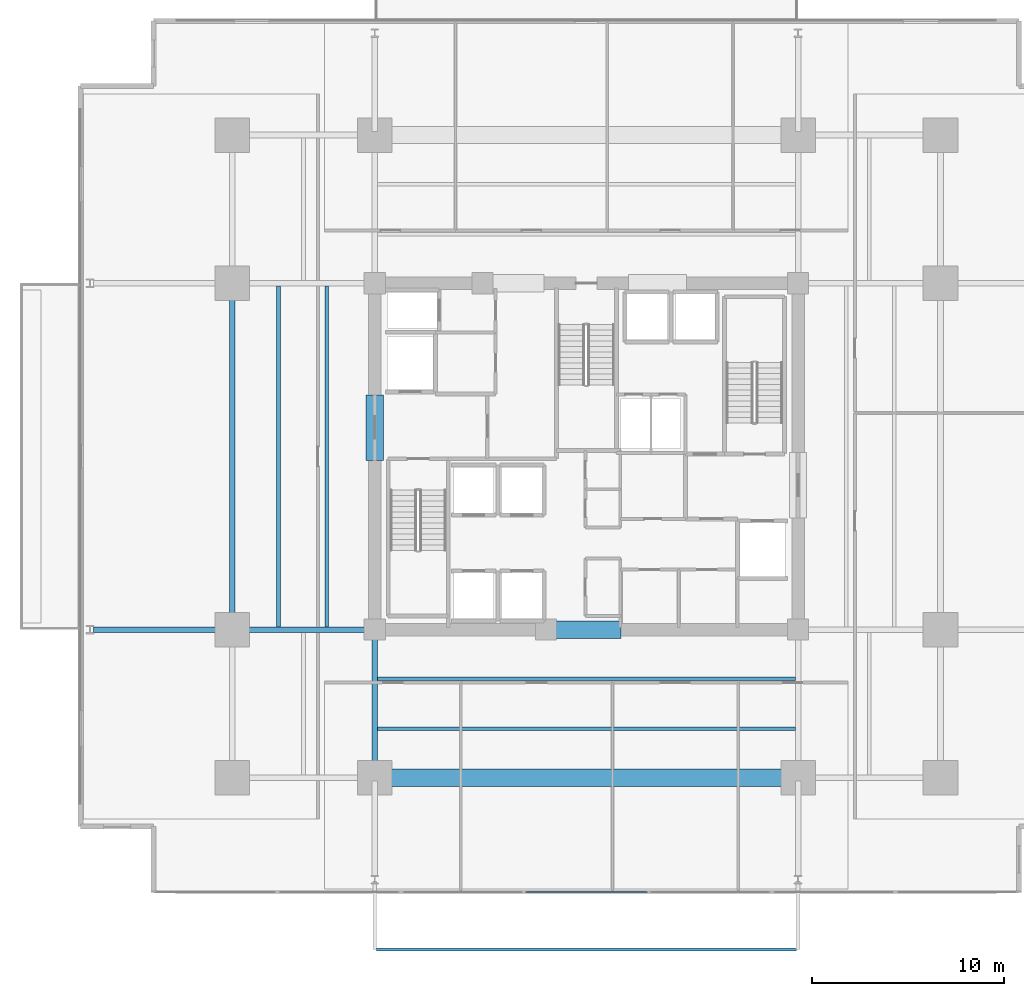
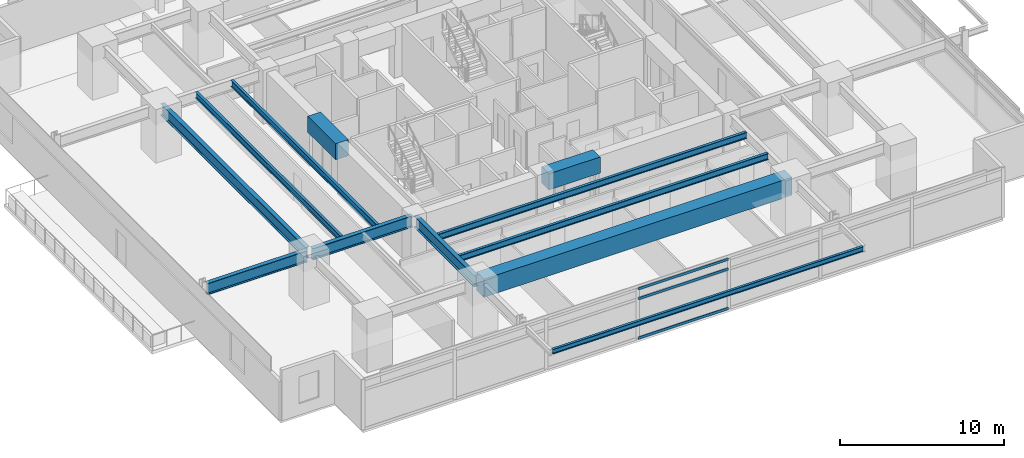
# One storey, part 4 of 19: 12 beams, 3 members, 1 element without a shape of its own.
"""IFC4 building model written with IfcOpenShell, lengths in metres."""

from ifc_helpers import new_model, si_unit, direction, frame, origin, origin_2d, place, context, subcontext, project, spatial, rectangle, hollow_rectangle, i_section, extrude, material, material_profile, profile_set, type_object, element, aggregate, save


model = new_model("IFC4")

# Units and contexts
model_context = context("Model", 3, precision=1e-05, world=origin(), true_north=direction((0.0, 1.0)))
body_context = subcontext(model_context, "Body", "Model", "MODEL_VIEW")
ifc_project = project(units=[si_unit("LENGTHUNIT", "METRE"), si_unit("AREAUNIT", "SQUARE_METRE"), si_unit("VOLUMEUNIT", "CUBIC_METRE"), si_unit("PLANEANGLEUNIT", "RADIAN"), si_unit("MASSUNIT", "GRAM", prefix="KILO")], contexts=[model_context])

# Site, building, storey
site_placement = place(None, origin())
site = spatial("IfcSite", under=ifc_project, at=site_placement, CompositionType="ELEMENT")
building_placement = place(site_placement, origin())
building = spatial("IfcBuilding", under=site, at=building_placement, Name="Kovane Verandah Tower", CompositionType="ELEMENT")
storey_placement = place(building_placement, frame((0.0, 0.0, 83.60009765625)))
storey = spatial("IfcBuildingStorey", under=building, at=storey_placement, Name="L19", CompositionType="ELEMENT", Elevation=83.60009765625)

# Beams
ifc_material_1 = material(Name="Concrete C80/95", Category="concrete")
ifc_material_profile_1 = material_profile(ifc_material_1, rectangle(XDim=0.89990234375, YDim=1.199951171875, at=origin_2d()), Name="RCB900x1200")
ifc_profile_set_1 = profile_set([ifc_material_profile_1], Name="Concrete C80/95")
beam_type_1 = type_object("IfcBeamType", Name="BM-LINTEL-900x1200", PredefinedType="LINTEL", material=ifc_profile_set_1)
beam_1_placement = place(storey_placement, frame((38.199951171875, 18.5, 3.159912109375), z_axis=(1.0, 0.0, 0.0), x_axis=(0.0, 1.0, 0.0)))
element("IfcBeam", 1, at=beam_1_placement, inside=storey, type_object=beam_type_1, Name="L19 Core Coupling Lintel CL-S", PredefinedType="LINTEL", context=body_context, shape_type="SweptSolid", body=[
    extrude(rectangle(XDim=0.89990234375, YDim=1.199951171875, at=origin_2d()), origin(), (0.0, 0.0, 1.0), 3.60009765625),
])
beam_2_placement = place(storey_placement, frame((29.0, 27.300048828125, 3.159912109375), z_axis=(0.0, 1.0, 0.0), x_axis=(-1.0, 0.0, 0.0)))
element("IfcBeam", 2, at=beam_2_placement, inside=storey, type_object=beam_type_1, Name="L19 Core Coupling Lintel CL-W", PredefinedType="LINTEL", context=body_context, shape_type="SweptSolid", body=[
    extrude(rectangle(XDim=0.89990234375, YDim=1.199951171875, at=origin_2d()), origin(), (0.0, 0.0, 1.0), 3.39990234375),
])
ifc_material_profile_2 = material_profile(ifc_material_1, rectangle(XDim=0.89990234375, YDim=1.35009765625, at=origin_2d()), Name="RCB900x1350")
ifc_profile_set_2 = profile_set([ifc_material_profile_2], Name="Concrete C80/95")
beam_type_2 = type_object("IfcBeamType", Name="BM-TR-900x1350", PredefinedType="BEAM", material=ifc_profile_set_2)
beam_3_placement = place(storey_placement, frame((29.179931640625, 10.800048828125, 3.0849609375), z_axis=(1.0, 0.0, 0.0), x_axis=(0.0, 1.0, 0.0)))
element("IfcBeam", 3, at=beam_3_placement, inside=storey, type_object=beam_type_2, Name="L19 Primary Tower Girder G-RS2", PredefinedType="BEAM", context=body_context, shape_type="SweptSolid", body=[
    extrude(rectangle(XDim=0.89990234375, YDim=1.35009765625, at=origin_2d()), origin(), (0.0, 0.0, 1.0), 21.64013671875),
])
ifc_material_2 = material(Name="Steel S355", Category="steel")
ifc_material_profile_3 = material_profile(ifc_material_2, i_section(OverallWidth=0.293701171875, OverallDepth=0.850830078125, WebThickness=0.01611328125, FlangeThickness=0.02685546875, FilletRadius=0.017822265625, at=origin_2d()), Name="UB838x292x226")
ifc_profile_set_3 = profile_set([ifc_material_profile_3], Name="Steel S355")
beam_type_3 = type_object("IfcBeamType", Name="BM-UB838x226", PredefinedType="BEAM", material=ifc_profile_set_3)
beam_4_placement = place(storey_placement, frame((21.60009765625, 18.679931640625, 3.33447265625), z_axis=(0.0, 1.0, 0.0), x_axis=(-1.0, 0.0, 0.0)))
element("IfcBeam", 4, at=beam_4_placement, inside=storey, type_object=beam_type_3, Name="L19 Primary Tower Girder G-RW2", PredefinedType="BEAM", context=body_context, shape_type="SweptSolid", body=[
    extrude(i_section(OverallWidth=0.293701171875, OverallDepth=0.850830078125, WebThickness=0.01611328125, FlangeThickness=0.02685546875, FilletRadius=0.017822265625, at=origin_2d()), origin(), (0.0, 0.0, 1.0), 17.64013671875),
])
beam_5_placement = place(storey_placement, frame((28.820068359375, 18.5, 3.33447265625), z_axis=(-1.0, 0.0, 0.0), x_axis=(0.0, -1.0, 0.0)))
element("IfcBeam", 5, at=beam_5_placement, inside=storey, type_object=beam_type_3, Name="L19 Primary Tower Girder G-W1", PredefinedType="BEAM", context=body_context, shape_type="SweptSolid", body=[
    extrude(i_section(OverallWidth=0.293701171875, OverallDepth=0.850830078125, WebThickness=0.01611328125, FlangeThickness=0.02685546875, FilletRadius=0.017822265625, at=origin_2d()), origin(), (0.0, 0.0, 1.0), 7.0400390625),
])
beam_6_placement = place(storey_placement, frame((29.0, 18.320068359375, 3.33447265625), z_axis=(0.0, -1.0, 0.0), x_axis=(1.0, 0.0, 0.0)))
element("IfcBeam", 6, at=beam_6_placement, inside=storey, type_object=beam_type_3, Name="L19 Primary Tower Girder G-S1", PredefinedType="BEAM", context=body_context, shape_type="SweptSolid", body=[
    extrude(i_section(OverallWidth=0.293701171875, OverallDepth=0.850830078125, WebThickness=0.01611328125, FlangeThickness=0.02685546875, FilletRadius=0.017822265625, at=origin_2d()), origin(), (0.0, 0.0, 1.0), 7.340087890625),
])
beam_7_placement = place(storey_placement, frame((21.419921875, 18.5, 3.33447265625), z_axis=(-1.0, 0.0, 0.0), x_axis=(0.0, -1.0, 0.0)))
element("IfcBeam", 7, at=beam_7_placement, inside=storey, type_object=beam_type_3, Name="L19 Primary Tower Girder G-VW1", PredefinedType="BEAM", context=body_context, shape_type="SweptSolid", body=[
    extrude(i_section(OverallWidth=0.293701171875, OverallDepth=0.850830078125, WebThickness=0.01611328125, FlangeThickness=0.02685546875, FilletRadius=0.017822265625, at=origin_2d()), origin(), (0.0, 0.0, 1.0), 7.0400390625),
])

# Curtain wall, members
ifc_material_3 = material(Name="Champagne Anodised Aluminium Frame with Low-E Clear Laminated Glass", Category="aluminium")
curtain_wall_type = type_object("IfcCurtainWallType", Name="CW-SYS-02-LOW", PredefinedType="NOTDEFINED", material=ifc_material_3)
curtain_wall_placement = place(storey_placement, origin())
curtain_wall = element("IfcCurtainWall", 8, at=curtain_wall_placement, inside=storey, type_object=curtain_wall_type, Name="L19 S Unitised Curtain Wall", PredefinedType="NOTDEFINED")
ifc_material_4 = material(Name="Champagne Anodised Aluminium 6063-T6", Category="aluminium")
ifc_material_profile_4 = material_profile(ifc_material_4, hollow_rectangle(XDim=0.0849609375, YDim=0.18994140625, WallThickness=0.00390625, at=origin_2d()), Name="AL85x190x4")
ifc_profile_set_4 = profile_set([ifc_material_profile_4], Name="Champagne Anodised Aluminium 6063-T6")
member_type = type_object("IfcMemberType", Name="CW-TRN-85x190", PredefinedType="USERDEFINED", material=ifc_profile_set_4)
member_1_placement = place(storey_placement, frame((36.837890625, 4.86083984375, 0.0498046875), z_axis=(1.0, 0.0, 0.0), x_axis=(0.0, 1.0, 0.0)))
member_1 = element("IfcMember", 9, at=member_1_placement, type_object=member_type, Name="L19 S Unitised Curtain Wall Transom TB Bay 4", ObjectType="TRANSOM", PredefinedType="USERDEFINED", context=body_context, shape_type="SweptSolid", body=[
    extrude(hollow_rectangle(XDim=0.0849609375, YDim=0.18994140625, WallThickness=0.00390625, at=origin_2d()), origin(), (0.0, 0.0, 1.0), 6.32421875),
])
member_2_placement = place(storey_placement, frame((36.837890625, 4.86083984375, 2.97998046875), z_axis=(1.0, 0.0, 0.0), x_axis=(0.0, 1.0, 0.0)))
member_2 = element("IfcMember", 10, at=member_2_placement, type_object=member_type, Name="L19 S Unitised Curtain Wall Transom TM Bay 4", ObjectType="TRANSOM", PredefinedType="USERDEFINED", context=body_context, shape_type="SweptSolid", body=[
    extrude(hollow_rectangle(XDim=0.0849609375, YDim=0.18994140625, WallThickness=0.00390625, at=origin_2d()), origin(), (0.0, 0.0, 1.0), 6.32421875),
])
member_3_placement = place(storey_placement, frame((36.837890625, 4.86083984375, 3.7099609375), z_axis=(1.0, 0.0, 0.0), x_axis=(0.0, 1.0, 0.0)))
member_3 = element("IfcMember", 11, at=member_3_placement, type_object=member_type, Name="L19 S Unitised Curtain Wall Transom TT Bay 4", ObjectType="TRANSOM", PredefinedType="USERDEFINED", context=body_context, shape_type="SweptSolid", body=[
    extrude(hollow_rectangle(XDim=0.0849609375, YDim=0.18994140625, WallThickness=0.00390625, at=origin_2d()), origin(), (0.0, 0.0, 1.0), 6.32421875),
])
aggregate(curtain_wall, [member_1, member_2, member_3])

# Beams
ifc_material_profile_5 = material_profile(ifc_material_2, i_section(OverallWidth=0.19287109375, OverallDepth=0.46728515625, WebThickness=0.011474609375, FlangeThickness=0.01953125, FilletRadius=0.01025390625, at=origin_2d()), Name="UB457x191x98")
ifc_profile_set_5 = profile_set([ifc_material_profile_5], Name="Steel S355")
beam_type_4 = type_object("IfcBeamType", Name="JST-UB457x98", PredefinedType="JOIST", material=ifc_profile_set_5)
for number, where, z_axis, x_axis, name in (
    (12, (29.14501953125, 13.35009765625, 3.5263671875), (1.0, 0.0, 0.0), (0.0, 1.0, 0.0), "L19 Secondary Composite Joist J-S1"),
    (13, (29.14501953125, 15.949951171875, 3.5263671875), (1.0, 0.0, 0.0), (0.0, 1.0, 0.0), "L19 Secondary Composite Joist J-S2"),
):
    element("IfcBeam", number, at=place(storey_placement, frame(where, z_axis=z_axis, x_axis=x_axis)), inside=storey, type_object=beam_type_4, Name=name, PredefinedType="JOIST", context=body_context, shape_type="SweptSolid", body=[
        extrude(i_section(OverallWidth=0.19287109375, OverallDepth=0.46728515625, WebThickness=0.011474609375, FlangeThickness=0.01953125, FilletRadius=0.01025390625, at=origin_2d()), origin(), (0.0, 0.0, 1.0), 21.7099609375),
    ])
for number, where, z_axis, x_axis, name in (
    (14, (24.0, 18.64501953125, 3.5263671875), (0.0, 1.0, 0.0), (-1.0, 0.0, 0.0), "L19 Secondary Composite Joist J-W1"),
    (15, (26.5, 18.64501953125, 3.5263671875), (0.0, 1.0, 0.0), (-1.0, 0.0, 0.0), "L19 Secondary Composite Joist J-W2"),
):
    element("IfcBeam", number, at=place(storey_placement, frame(where, z_axis=z_axis, x_axis=x_axis)), inside=storey, type_object=beam_type_4, Name=name, PredefinedType="JOIST", context=body_context, shape_type="SweptSolid", body=[
        extrude(i_section(OverallWidth=0.19287109375, OverallDepth=0.46728515625, WebThickness=0.011474609375, FlangeThickness=0.01953125, FilletRadius=0.01025390625, at=origin_2d()), origin(), (0.0, 0.0, 1.0), 17.7099609375),
    ])
ifc_material_profile_6 = material_profile(ifc_material_2, i_section(OverallWidth=0.173095703125, OverallDepth=0.36328125, WebThickness=0.009033203125, FlangeThickness=0.015625, FilletRadius=0.01025390625, at=origin_2d()), Name="UB356x171x67")
ifc_profile_set_6 = profile_set([ifc_material_profile_6], Name="Steel S355")
beam_type_5 = type_object("IfcBeamType", Name="SPD-UB356x67", PredefinedType="USERDEFINED", material=ifc_profile_set_6)
beam_8_placement = place(storey_placement, frame((29.094482421875, 1.879150390625, 3.578125), z_axis=(1.0, 0.0, 0.0), x_axis=(0.0, 1.0, 0.0)))
element("IfcBeam", 16, at=beam_8_placement, inside=storey, type_object=beam_type_5, Name="L19 South Planter Edge Spandrel", ObjectType="SPANDREL", PredefinedType="USERDEFINED", context=body_context, shape_type="SweptSolid", body=[
    extrude(i_section(OverallWidth=0.173095703125, OverallDepth=0.36328125, WebThickness=0.009033203125, FlangeThickness=0.015625, FilletRadius=0.01025390625, at=origin_2d()), origin(), (0.0, 0.0, 1.0), 21.81103515625),
])

save(model, "model.ifc")
